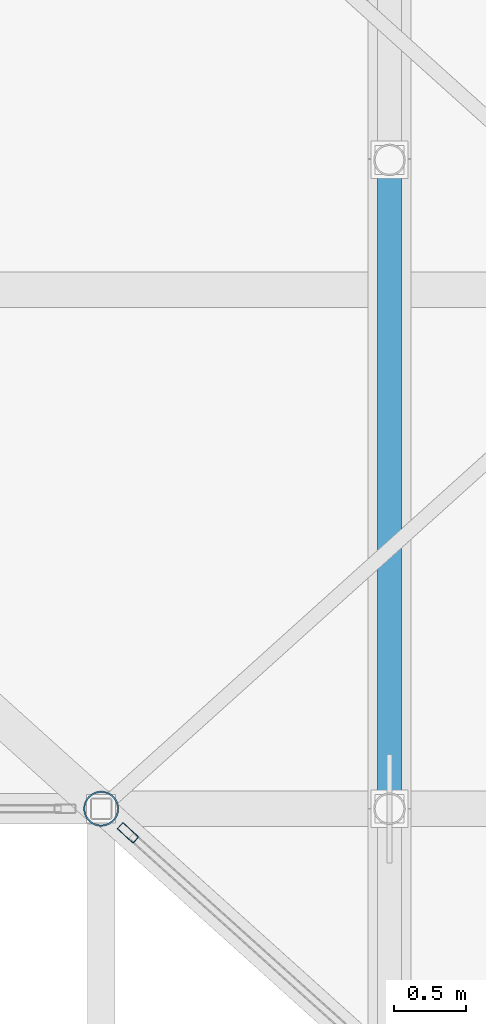
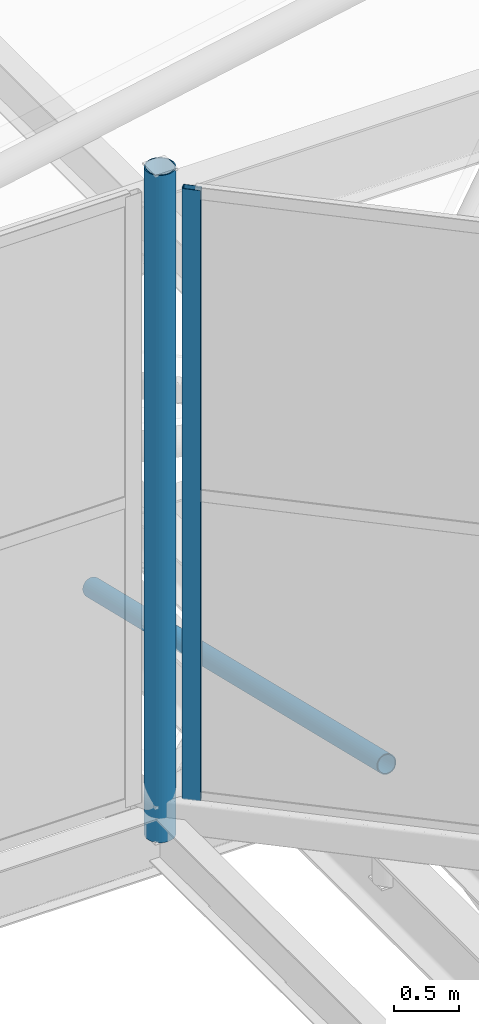
# One storey, part 131 of 239: 3 members, 1 element without a shape of its own.
"""IFC4 building model written with IfcOpenShell, lengths in metres."""

from ifc_helpers import new_model, si_unit, direction, frame, origin, origin_2d, place, context, subcontext, project, spatial, hollow_rectangle, hollow_circle, extrude, material, layer, layer_set, material_profile, profile_set, type_object, element, aggregate, save


model = new_model("IFC4")

# Units and contexts
model_context = context("Model", 3, precision=1e-05, world=origin(), true_north=direction((0.0, 1.0)))
body_context = subcontext(model_context, "Body", "Model", "MODEL_VIEW")
ifc_project = project(units=[si_unit("LENGTHUNIT", "METRE"), si_unit("AREAUNIT", "SQUARE_METRE"), si_unit("VOLUMEUNIT", "CUBIC_METRE"), si_unit("PLANEANGLEUNIT", "RADIAN"), si_unit("MASSUNIT", "GRAM", prefix="KILO")], contexts=[model_context])

# Site, building, storey
site_placement = place(None, origin())
site = spatial("IfcSite", under=ifc_project, at=site_placement, CompositionType="ELEMENT")
building_placement = place(site_placement, origin())
building = spatial("IfcBuilding", under=site, at=building_placement, Name="Dunvalen Ferry Terminal", CompositionType="ELEMENT")
storey_placement = place(building_placement, frame((0.0, 0.0, 9.840087890625)))
storey = spatial("IfcBuildingStorey", under=building, at=storey_placement, Name="L02", CompositionType="ELEMENT", Elevation=9.840087890625)

# Curtain wall, member
ifc_material_1 = material(Name="Anodised marine aluminium and solar-control glazing", Category="aluminium")
ifc_layer = layer(ifc_material_1, 0.179931640625, Name="Anodised marine aluminium and solar-control glazing")
ifc_layer_set = layer_set([ifc_layer], Name="Anodised marine aluminium and solar-control glazing")
curtain_wall_type = type_object("IfcCurtainWallType", Name="ENV-CW-SYS-06", PredefinedType="NOTDEFINED", material=ifc_layer_set)
curtain_wall_placement = place(storey_placement, origin())
curtain_wall = element("IfcCurtainWall", 1, at=curtain_wall_placement, inside=storey, type_object=curtain_wall_type, Name="L02 Curtain Wall CW-HEX-36-SK-4", PredefinedType="NOTDEFINED")
ifc_material_2 = material(Name="Anodised marine aluminium EN AW-6063 T6", Category="aluminium")
ifc_material_profile_1 = material_profile(ifc_material_2, hollow_rectangle(XDim=0.06005859375, YDim=0.14990234375, WallThickness=0.00341796875, InnerFilletRadius=0.00341796875, OuterFilletRadius=0.007080078125, at=origin_2d()), Name="Anodised marine aluminium EN AW-6063 T6")
ifc_profile_set_1 = profile_set([ifc_material_profile_1], Name="Anodised marine aluminium EN AW-6063 T6")
member_type_1 = type_object("IfcMemberType", Name="ENV-CW-MUL-3", PredefinedType="MULLION", material=ifc_profile_set_1)
member_1_placement = place(storey_placement, frame((82.185791015625, 68.232666015625, 1.139892578125), z_axis=(0.0, 0.0, 1.0), x_axis=(-0.668953550894, -0.74330420875, 0.0)))
member_1 = element("IfcMember", 2, at=member_1_placement, type_object=member_type_1, Name="CW-06 mullion 2", PredefinedType="MULLION", context=body_context, shape_type="SweptSolid", body=[
    extrude(hollow_rectangle(XDim=0.06005859375, YDim=0.14990234375, WallThickness=0.00341796875, InnerFilletRadius=0.00341796875, OuterFilletRadius=0.007080078125, at=origin_2d()), origin(), (0.0, 0.0, 1.0), 5.699951171875),
])
aggregate(curtain_wall, [member_1])

# Members
ifc_material_3 = material(Name="Steel S355", Category="steel")
ifc_material_profile_2 = material_profile(ifc_material_3, hollow_circle(Radius=0.084228515625, WallThickness=0.008056640625, at=origin_2d()), Name="Steel S355")
ifc_profile_set_2 = profile_set([ifc_material_profile_2], Name="Steel S355")
member_type_2 = type_object("IfcMemberType", Name="STR-MB-CHS168", PredefinedType="BRACE", material=ifc_profile_set_2)
member_2_placement = place(storey_placement, frame((84.0, 68.39990234375, 0.719970703125), z_axis=(0.0, 0.972383470914, -0.233388914677), x_axis=(-1.0, 0.0, 0.0)))
element("IfcMember", 3, at=member_2_placement, inside=storey, type_object=member_type_2, Name="Departure Hall Arch Web Diagonal 07.5", PredefinedType="BRACE", context=body_context, shape_type="SweptSolid", body=[
    extrude(hollow_circle(Radius=0.084228515625, WallThickness=0.008056640625, at=origin_2d()), origin(), (0.0, 0.0, 1.0), 4.627685546875),
])
ifc_material_profile_3 = material_profile(ifc_material_3, hollow_circle(Radius=0.122314453125, WallThickness=0.010009765625, at=origin_2d()), Name="Steel S355")
ifc_profile_set_3 = profile_set([ifc_material_profile_3], Name="Steel S355")
member_type_3 = type_object("IfcMemberType", Name="STR-MB-CHS244", PredefinedType="STRUT", material=ifc_profile_set_3)
member_3_placement = place(storey_placement, frame((82.0, 68.39990234375, 0.77001953125), z_axis=(0.0, 0.0, 1.0), x_axis=(1.0, 0.0, 0.0)))
element("IfcMember", 4, at=member_3_placement, inside=storey, type_object=member_type_3, Name="HEX-36 Skylight Lantern Corner Strut 5", PredefinedType="STRUT", context=body_context, shape_type="SweptSolid", body=[
    extrude(hollow_circle(Radius=0.122314453125, WallThickness=0.010009765625, at=origin_2d()), origin(), (0.0, 0.0, 1.0), 6.22998046875),
])

save(model, "model.ifc")
